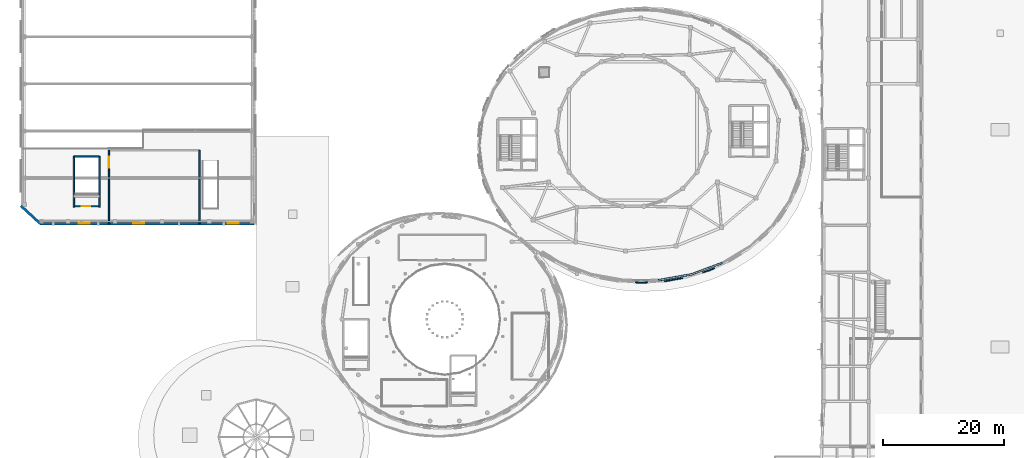
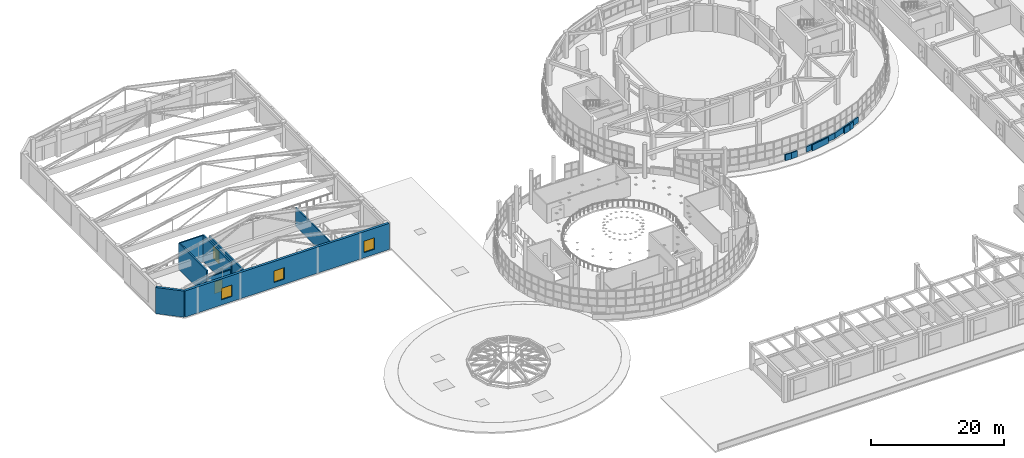
# One storey, part 90 of 105: 15 walls, 3 windows, 2 doors, 5 openings.
"""IFC4 building model written with IfcOpenShell, lengths in metres."""

import ifcopenshell
import ifcopenshell.guid

model = None  # the IFC model being written
_history = None  # IfcOwnerHistory: only IFC2X3 demands one
_inside = {}  # id of a spatial element -> (the spatial element, [elements in it])
_under = {}  # id of a project, library or spatial element -> (it, [spatial elements below it])
_declared = {}  # id of a project -> (the project, [libraries it declares])
_typed = {}  # id of a type object -> (the type object, [elements of that type])
_made_of = {}  # id of a material, layer set ... -> (it, [elements and type objects made of it])


def new_model(schema):
    """Start an empty IFC model of exactly this schema.

    Asked for "IFC4X3", IfcOpenShell would pick the latest addendum, in which some entities
    have other attributes; the version numbers below select the first issue.
    IFC2X3 requires an IfcOwnerHistory on every rooted entity: one is made here for all.
    """
    global model, _history
    if schema == "IFC4X3":
        model = ifcopenshell.file(schema_version=(4, 3, 0, 0))
    else:
        model = ifcopenshell.file(schema=schema)
    _inside.clear()
    _under.clear()
    _declared.clear()
    _typed.clear()
    _made_of.clear()
    _history = None
    if model.schema == "IFC2X3":
        org = make("IfcOrganization", Name="unknown")
        user = make(
            "IfcPersonAndOrganization",
            ThePerson=make("IfcPerson", FamilyName="unknown"),
            TheOrganization=org,
        )
        app = make(
            "IfcApplication",
            ApplicationDeveloper=org,
            Version="unknown",
            ApplicationFullName="unknown",
            ApplicationIdentifier="unknown",
        )
        _history = make(
            "IfcOwnerHistory",
            OwningUser=user,
            OwningApplication=app,
            ChangeAction="ADDED",
            CreationDate=0,
        )
    return model


def make(cls, **values):
    """One entity of the class cls with the attributes given. An attribute that is None is left unset."""
    return model.create_entity(
        cls, **{name: value for name, value in values.items() if value is not None}
    )


def rooted(cls, **values):
    """An entity with a GlobalId (a new one), such as an element, a storey or a relation."""
    return make(cls, GlobalId=ifcopenshell.guid.new(), OwnerHistory=_history, **values)


def si_unit(unit_type, name, prefix=None):
    """IfcSIUnit, for example si_unit("LENGTHUNIT", "METRE", prefix="MILLI")."""
    return make("IfcSIUnit", UnitType=unit_type, Prefix=prefix, Name=name)


def assignment(units):
    """IfcUnitAssignment: the units of a project."""
    return None if units is None else make("IfcUnitAssignment", Units=units)


def point(xyz):
    """IfcCartesianPoint."""
    return None if xyz is None else make("IfcCartesianPoint", Coordinates=xyz)


def direction(xyz):
    """IfcDirection."""
    return None if xyz is None else make("IfcDirection", DirectionRatios=xyz)


def frame(location, z_axis=None, x_axis=None):
    """IfcAxis2Placement3D, a coordinate frame: its origin and axes. An axis left out is left unset."""
    return make(
        "IfcAxis2Placement3D",
        Location=point(location),
        Axis=direction(z_axis),
        RefDirection=direction(x_axis),
    )


def frame_2d(location, x_axis=None):
    """IfcAxis2Placement2D, a coordinate frame in the plane: its origin and x axis."""
    return make(
        "IfcAxis2Placement2D", Location=point(location), RefDirection=direction(x_axis)
    )


def origin():
    """The frame at (0, 0, 0) with its axes left unset."""
    return frame((0.0, 0.0, 0.0))


def place(relative_to, where):
    """IfcLocalPlacement: puts the frame where relative to a parent placement (None: the world)."""
    return make(
        "IfcLocalPlacement", PlacementRelTo=relative_to, RelativePlacement=where
    )


def context(
    kind, dimensions, precision=None, world=None, true_north=None, identifier=None
):
    """IfcGeometricRepresentationContext, for example the 3D "Model" context."""
    return make(
        "IfcGeometricRepresentationContext",
        ContextIdentifier=identifier,
        ContextType=kind,
        CoordinateSpaceDimension=dimensions,
        Precision=precision,
        WorldCoordinateSystem=world,
        TrueNorth=true_north,
    )


def subcontext(parent, identifier, kind, view, scale=None):
    """IfcGeometricRepresentationSubContext, for example "Body" below "Model"."""
    return make(
        "IfcGeometricRepresentationSubContext",
        ContextIdentifier=identifier,
        ContextType=kind,
        ParentContext=parent,
        TargetScale=scale,
        TargetView=view,
    )


def project(units=None, contexts=None):
    """IfcProject with its units and contexts."""
    return rooted(
        "IfcProject",
        Name="project",
        RepresentationContexts=contexts,
        UnitsInContext=assignment(units),
    )


def spatial(cls, under=None, at=None, **own):
    """A site, building, storey or space (cls), placed at a placement, below another one or the project."""
    s = rooted(cls, ObjectPlacement=at, **own)
    if under is not None:
        _under.setdefault(under.id(), (under, []))[1].append(s)
    return s


def profile(cls, at=None, kind="AREA", **sizes):
    """A parametric profile (cls). Its sizes go by their IFC names, for example OverallWidth=200.0."""
    return make(cls, ProfileType=kind, Position=at, **sizes)


def rectangle(**sizes):
    """IfcRectangleProfileDef."""
    return profile("IfcRectangleProfileDef", **sizes)


def extrude(swept, where, along, depth):
    """IfcExtrudedAreaSolid: the profile swept, set in the frame where, extruded along a direction by depth."""
    return make(
        "IfcExtrudedAreaSolid",
        SweptArea=swept,
        Position=where,
        ExtrudedDirection=direction(along),
        Depth=depth,
    )


def shape(context_of_items, identifier, shape_type, items):
    """IfcShapeRepresentation: the items that make up one representation, for example the "Body"."""
    return make(
        "IfcShapeRepresentation",
        ContextOfItems=context_of_items,
        RepresentationIdentifier=identifier,
        RepresentationType=shape_type,
        Items=items,
    )


def material(Name=None, Category=None):
    """IfcMaterial."""
    return make("IfcMaterial", Name=Name, Category=Category)


def layer(
    of_material, thickness, ventilated=None, Name=None, Category=None, Priority=None
):
    """IfcMaterialLayer: one layer of a wall or slab, of a material (None: an air gap)."""
    return make(
        "IfcMaterialLayer",
        Material=of_material,
        LayerThickness=thickness,
        IsVentilated=ventilated,
        Name=Name,
        Category=Category,
        Priority=Priority,
    )


def layer_set(layers, Name=None):
    """IfcMaterialLayerSet."""
    return make("IfcMaterialLayerSet", MaterialLayers=layers, LayerSetName=Name)


def made_of(thing, what):
    """Note that an element or type object is made of a material, layer set ...; save() writes the relation."""
    if what is not None:
        _made_of.setdefault(what.id(), (what, []))[1].append(thing)
    return thing


def type_object(cls, material=None, **own):
    """A type object (cls), such as IfcWallType, which elements share."""
    return made_of(rooted(cls, **own), material)


def element(
    cls,
    number,
    at=None,
    inside=None,
    cuts=None,
    type_object=None,
    material=None,
    context=None,
    identifier="Body",
    shape_type=None,
    held_by="IfcProductDefinitionShape",
    body=None,
    shapes=None,
    **own,
):
    """One element of the class cls, such as IfcWall. Its Tag is "e" and its number.

    at: its placement. inside: the storey or other place that contains it. cuts: it is an
    opening in that element (IfcRelVoidsElement). A single representation is given by context,
    identifier, shape_type and body (its items); several are given by shapes. held_by: the class
    of the entity that holds the representations. save() writes the other relations.
    """
    e = rooted(cls, Tag="e%d" % number, ObjectPlacement=at, **own)
    if body is not None:
        shapes = [shape(context, identifier, shape_type, body)]
    if shapes is not None:
        e.Representation = make(held_by, Representations=shapes)
    if inside is not None:
        _inside.setdefault(inside.id(), (inside, []))[1].append(e)
    if cuts is not None:
        rooted(
            "IfcRelVoidsElement", RelatingBuildingElement=cuts, RelatedOpeningElement=e
        )
    if type_object is not None:
        _typed.setdefault(type_object.id(), (type_object, []))[1].append(e)
    return made_of(e, material)


def fill(opening, filler):
    """IfcRelFillsElement: the door or window that sits in an opening."""
    return rooted(
        "IfcRelFillsElement",
        RelatingOpeningElement=opening,
        RelatedBuildingElement=filler,
    )


def aggregate(whole, parts):
    """IfcRelAggregates: a whole, such as a stair, and the parts it consists of."""
    return rooted("IfcRelAggregates", RelatingObject=whole, RelatedObjects=parts)


def save(model, path):
    """Write the relations noted so far, then the file.

    IfcRelAggregates (storeys below a building ...), IfcRelContainedInSpatialStructure (elements
    in a storey), IfcRelDefinesByType, IfcRelAssociatesMaterial and IfcRelDeclares: one each for
    every whole, place, type object, material and project.
    """
    for whole, parts in _under.values():
        aggregate(whole, parts)
    for where, things in _inside.values():
        rooted(
            "IfcRelContainedInSpatialStructure",
            RelatedElements=things,
            RelatingStructure=where,
        )
    for kind, things in _typed.values():
        rooted("IfcRelDefinesByType", RelatedObjects=things, RelatingType=kind)
    for what, things in _made_of.values():
        rooted("IfcRelAssociatesMaterial", RelatedObjects=things, RelatingMaterial=what)
    for by, libraries in _declared.values():
        rooted("IfcRelDeclares", RelatingContext=by, RelatedDefinitions=libraries)
    model.write(path)


model = new_model("IFC4")

# Units and contexts
model_context = context("Model", 3, precision=1e-05, world=origin(), true_north=direction((0.0, 1.0)))
body_context = subcontext(model_context, "Body", "Model", "MODEL_VIEW")
ifc_project = project(units=[si_unit("LENGTHUNIT", "METRE"), si_unit("AREAUNIT", "SQUARE_METRE"), si_unit("VOLUMEUNIT", "CUBIC_METRE"), si_unit("PLANEANGLEUNIT", "RADIAN"), si_unit("MASSUNIT", "GRAM", prefix="KILO")], contexts=[model_context])

# Site, building, storey
site_placement = place(None, origin())
site = spatial("IfcSite", under=ifc_project, at=site_placement, CompositionType="ELEMENT")
building_placement = place(site_placement, origin())
building = spatial("IfcBuilding", under=site, at=building_placement, Name="Pelvatis Terrace Science Centre", CompositionType="ELEMENT")
storey_placement = place(building_placement, frame((0.0, 0.0, 10.199951171875)))
storey = spatial("IfcBuildingStorey", under=building, at=storey_placement, Name="L02", CompositionType="ELEMENT", Elevation=10.199951171875)

# Wall, openings, windows
ifc_material_1 = material(Name="Precast concrete C40/50 double acoustic shell", Category="concrete")
ifc_layer_1 = layer(ifc_material_1, 0.409912109375)
ifc_layer_set_1 = layer_set([ifc_layer_1], Name="Precast concrete C40/50 double acoustic shell")
wall_type_1 = type_object("IfcWallType", Name="WL-EXT-ACOU-410", PredefinedType="SOLIDWALL", material=ifc_layer_set_1)
wall_1_placement = place(storey_placement, frame((46.449951171875, 70.449951171875, 0.0), z_axis=(0.0, 0.0, 1.0), x_axis=(-1.0, 0.0, 0.0)))
wall_1 = element("IfcWall", 1, at=wall_1_placement, inside=storey, type_object=wall_type_1, Name="Theatre classical stone acoustic wall S (L02)", PredefinedType="SOLIDWALL", context=body_context, shape_type="SweptSolid", body=[
    extrude(rectangle(XDim=35.449951171875, YDim=0.409912109375, at=frame_2d((17.72509765625, 0.0))), origin(), (0.0, 0.0, 1.0), 4.800048828125),
])
opening_1_placement = place(wall_1_placement, frame((2.550048828125, 0.0, 0.949951171875)))
opening_1 = element("IfcOpeningElement", 2, at=opening_1_placement, cuts=wall_1, Name="Opening W-007", PredefinedType="OPENING", context=body_context, shape_type="SweptSolid", body=[
    extrude(rectangle(XDim=1.800048828125, YDim=2.10009765625, at=frame_2d((0.89990234375, 1.050048828125))), frame((0.0, 0.21484375, 0.0), z_axis=(0.0, -1.0, 0.0), x_axis=(1.0, 0.0, 0.0)), (0.0, 0.0, 1.0), 0.429931640625),
])
opening_2_placement = place(wall_1_placement, frame((18.199951171875, 0.0, 0.949951171875)))
opening_2 = element("IfcOpeningElement", 3, at=opening_2_placement, cuts=wall_1, Name="Opening W-008", PredefinedType="OPENING", context=body_context, shape_type="SweptSolid", body=[
    extrude(rectangle(XDim=1.800048828125, YDim=2.10009765625, at=frame_2d((0.89990234375, 1.050048828125))), frame((0.0, 0.21484375, 0.0), z_axis=(0.0, -1.0, 0.0), x_axis=(1.0, 0.0, 0.0)), (0.0, 0.0, 1.0), 0.429931640625),
])
opening_3_placement = place(wall_1_placement, frame((27.25, 0.0, 0.949951171875)))
opening_3 = element("IfcOpeningElement", 4, at=opening_3_placement, cuts=wall_1, Name="Opening W-009", PredefinedType="OPENING", context=body_context, shape_type="SweptSolid", body=[
    extrude(rectangle(XDim=1.800048828125, YDim=2.10009765625, at=frame_2d((0.89990234375, 1.050048828125))), frame((0.0, 0.21484375, 0.0), z_axis=(0.0, -1.0, 0.0), x_axis=(1.0, 0.0, 0.0)), (0.0, 0.0, 1.0), 0.429931640625),
])
ifc_material_2 = material(Name="Bronze-anodised aluminium and laminated low-e glass", Category="aluminium")
window_type = type_object("IfcWindowType", Name="WIN-LAB-1800x2100", PartitioningType="SINGLE_PANEL", PredefinedType="WINDOW", material=ifc_material_2)
window_1_placement = place(opening_1_placement, origin())
window_1 = element("IfcWindow", 5, at=window_1_placement, inside=storey, type_object=window_type, Name="Theatre south Art Deco foyer window W-007", OverallHeight=2.10009765625, OverallWidth=1.800048828125, PartitioningType="SINGLE_PANEL", PredefinedType="WINDOW", context=body_context, shape_type="SweptSolid", body=[
    extrude(rectangle(XDim=1.800048828125, YDim=2.10009765625, at=frame_2d((0.89990234375, 1.050048828125))), frame((0.0, 0.030029296875, 0.0), z_axis=(0.0, -1.0, 0.0), x_axis=(1.0, 0.0, 0.0)), (0.0, 0.0, 1.0), 0.06005859375),
])
fill(opening_1, window_1)
window_2_placement = place(opening_2_placement, origin())
window_2 = element("IfcWindow", 6, at=window_2_placement, inside=storey, type_object=window_type, Name="Theatre south Art Deco foyer window W-008", OverallHeight=2.10009765625, OverallWidth=1.800048828125, PartitioningType="SINGLE_PANEL", PredefinedType="WINDOW", context=body_context, shape_type="SweptSolid", body=[
    extrude(rectangle(XDim=1.800048828125, YDim=2.10009765625, at=frame_2d((0.89990234375, 1.050048828125))), frame((0.0, 0.030029296875, 0.0), z_axis=(0.0, -1.0, 0.0), x_axis=(1.0, 0.0, 0.0)), (0.0, 0.0, 1.0), 0.06005859375),
])
fill(opening_2, window_2)
window_3_placement = place(opening_3_placement, origin())
window_3 = element("IfcWindow", 7, at=window_3_placement, inside=storey, type_object=window_type, Name="Theatre south Art Deco foyer window W-009", OverallHeight=2.10009765625, OverallWidth=1.800048828125, PartitioningType="SINGLE_PANEL", PredefinedType="WINDOW", context=body_context, shape_type="SweptSolid", body=[
    extrude(rectangle(XDim=1.800048828125, YDim=2.10009765625, at=frame_2d((0.89990234375, 1.050048828125))), frame((0.0, 0.030029296875, 0.0), z_axis=(0.0, -1.0, 0.0), x_axis=(1.0, 0.0, 0.0)), (0.0, 0.0, 1.0), 0.06005859375),
])
fill(opening_3, window_3)

# Walls
wall_2_placement = place(storey_placement, frame((11.0, 70.449951171875, 0.0), z_axis=(0.0, 0.0, 1.0), x_axis=(-0.735244168043, 0.677802340922, 0.0)))
element("IfcWall", 8, at=wall_2_placement, inside=storey, type_object=wall_type_1, Name="Theatre classical stone acoustic wall SW (L02)", PredefinedType="SOLIDWALL", context=body_context, shape_type="SweptSolid", body=[
    extrude(rectangle(XDim=4.352294921875, YDim=0.409912109375, at=frame_2d((2.17626953125, 0.0))), origin(), (0.0, 0.0, 1.0), 4.800048828125),
])
ifc_material_3 = material(Name="White architectural precast concrete C40/50 spandrel", Category="concrete")
ifc_layer_2 = layer(ifc_material_3, 0.260009765625)
ifc_layer_set_2 = layer_set([ifc_layer_2], Name="White architectural precast concrete C40/50 spandrel")
wall_type_2 = type_object("IfcWallType", Name="WL-EXT-SPND-260", PredefinedType="SOLIDWALL", material=ifc_layer_set_2)
wall_3_placement = place(storey_placement, frame((113.406494140625, 61.072998046875, 0.0), z_axis=(0.0, 0.0, 1.0), x_axis=(0.984571727295, 0.174981467052, 0.0)))
element("IfcWall", 9, at=wall_3_placement, inside=storey, type_object=wall_type_2, Name="V1 white spiral spandrel band 24 (L02)", PredefinedType="SOLIDWALL", context=body_context, shape_type="SweptSolid", body=[
    extrude(rectangle(XDim=5.57666015625, YDim=0.260009765625, at=frame_2d((2.788330078125, 0.0))), origin(), (0.0, 0.0, 1.0), 1.02001953125),
])
wall_4_placement = place(storey_placement, frame((118.897216796875, 62.048828125, 0.0), z_axis=(0.0, 0.0, 1.0), x_axis=(0.937164520654, 0.34888774875, 0.0)))
element("IfcWall", 10, at=wall_4_placement, inside=storey, type_object=wall_type_2, Name="V1 white spiral spandrel band 25 (L02)", PredefinedType="SOLIDWALL", context=body_context, shape_type="SweptSolid", body=[
    extrude(rectangle(XDim=5.471435546875, YDim=0.260009765625, at=frame_2d((2.73583984375, 0.0))), origin(), (0.0, 0.0, 1.0), 1.02001953125),
])
ifc_material_4 = material(Name="Acoustic theatre and planetarium lobby wall", Category="masonry")
ifc_layer_3 = layer(ifc_material_4, 0.235107421875)
ifc_layer_set_3 = layer_set([ifc_layer_3], Name="Acoustic theatre and planetarium lobby wall")
wall_type_3 = type_object("IfcWallType", Name="WL-INT-ACOU-235", PredefinedType="PARTITIONING", material=ifc_layer_set_3)
wall_5_placement = place(storey_placement, frame((37.39990234375, 70.449951171875, 0.0), z_axis=(0.0, 0.0, 1.0), x_axis=(0.0, 1.0, 0.0)))
element("IfcWall", 11, at=wall_5_placement, inside=storey, type_object=wall_type_3, Name="Theatre Upper Balcony Concourse and Projection Suite partition wall E", PredefinedType="PARTITIONING", context=body_context, shape_type="SweptSolid", body=[
    extrude(rectangle(XDim=12.150146484375, YDim=0.235107421875, at=frame_2d((6.0751953125, 0.0))), origin(), (0.0, 0.0, 1.0), 3.449951171875),
])

# Wall, opening, door
wall_6_placement = place(storey_placement, frame((22.39990234375, 82.60009765625, 0.0), z_axis=(0.0, 0.0, 1.0), x_axis=(0.0, -1.0, 0.0)))
wall_6 = element("IfcWall", 12, at=wall_6_placement, inside=storey, type_object=wall_type_3, Name="Theatre Upper Balcony Concourse and Projection Suite partition wall W", PredefinedType="PARTITIONING", context=body_context, shape_type="SweptSolid", body=[
    extrude(rectangle(XDim=12.150146484375, YDim=0.235107421875, at=frame_2d((6.0751953125, 0.0))), origin(), (0.0, 0.0, 1.0), 3.449951171875),
])
opening_4_placement = place(wall_6_placement, frame((1.110107421875, 0.0, 0.0)))
opening_4 = element("IfcOpeningElement", 13, at=opening_4_placement, cuts=wall_6, Name="Opening D-204", PredefinedType="OPENING", context=body_context, shape_type="SweptSolid", body=[
    extrude(rectangle(XDim=1.800048828125, YDim=2.35009765625, at=frame_2d((0.89990234375, 1.175048828125))), frame((0.0, 0.12744140625, 0.0), z_axis=(0.0, -1.0, 0.0), x_axis=(1.0, 0.0, 0.0)), (0.0, 0.0, 1.0), 0.255126953125),
])
ifc_material_5 = material(Name="Acoustic padded theatre sound-lock double door", Category="wood")
door_type_1 = type_object("IfcDoorType", Name="DR-THTR-1800x2350", OperationType="NOTDEFINED", PredefinedType="DOOR", material=ifc_material_5)
door_1_placement = place(opening_4_placement, origin())
door_1 = element("IfcDoor", 14, at=door_1_placement, inside=storey, type_object=door_type_1, Name="Theatre Upper Balcony Concourse and Projection Suite entrance door", OperationType="DOUBLE_DOOR_SINGLE_SWING", OverallHeight=2.35009765625, OverallWidth=1.800048828125, PredefinedType="DOOR", context=body_context, shape_type="SweptSolid", body=[
    extrude(rectangle(XDim=1.800048828125, YDim=2.35009765625, at=frame_2d((0.89990234375, 1.175048828125))), frame((0.0, 0.02490234375, 0.0), z_axis=(0.0, -1.0, 0.0), x_axis=(1.0, 0.0, 0.0)), (0.0, 0.0, 1.0), 0.050048828125),
])
fill(opening_4, door_1)

ifc_material_6 = material(Name="Concrete C35/45 stair enclosure wall", Category="concrete")
ifc_layer_4 = layer(ifc_material_6, 0.22509765625)
ifc_layer_set_4 = layer_set([ifc_layer_4], Name="Concrete C35/45 stair enclosure wall")
wall_type_4 = type_object("IfcWallType", Name="WL-INT-CORE-225", PredefinedType="PARTITIONING", material=ifc_layer_set_4)
wall_7_placement = place(storey_placement, frame((16.739990234375, 73.320068359375, 0.0), z_axis=(0.0, 0.0, 1.0), x_axis=(1.0, 0.0, 0.0)))
wall_7 = element("IfcWall", 15, at=wall_7_placement, inside=storey, type_object=wall_type_4, Name="Stair ST-07 shaft wall S (L02)", PredefinedType="PARTITIONING", context=body_context, shape_type="SweptSolid", body=[
    extrude(rectangle(XDim=3.919921875, YDim=0.22509765625, at=frame_2d((1.9599609375, 0.0))), origin(), (0.0, 0.0, 1.0), 3.510009765625),
])
opening_5_placement = place(wall_7_placement, frame((1.173095703125, 0.0, 0.0)))
opening_5 = element("IfcOpeningElement", 16, at=opening_5_placement, cuts=wall_7, Name="Opening D-159", PredefinedType="OPENING", context=body_context, shape_type="SweptSolid", body=[
    extrude(rectangle(XDim=1.35009765625, YDim=2.199951171875, at=frame_2d((0.675048828125, 1.10009765625))), frame((0.0, 0.12255859375, 0.0), z_axis=(0.0, -1.0, 0.0), x_axis=(1.0, 0.0, 0.0)), (0.0, 0.0, 1.0), 0.2451171875),
])
ifc_material_7 = material(Name="Steel fire-rated protected stair door", Category="steel")
door_type_2 = type_object("IfcDoorType", Name="DR-STAIR-1350x2200", OperationType="NOTDEFINED", PredefinedType="DOOR", material=ifc_material_7)
door_2_placement = place(opening_5_placement, origin())
door_2 = element("IfcDoor", 17, at=door_2_placement, inside=storey, type_object=door_type_2, Name="Stair ST-07 fire door (L02)", OperationType="SINGLE_SWING_LEFT", OverallHeight=2.199951171875, OverallWidth=1.35009765625, PredefinedType="DOOR", context=body_context, shape_type="SweptSolid", body=[
    extrude(rectangle(XDim=1.35009765625, YDim=2.199951171875, at=frame_2d((0.675048828125, 1.10009765625))), frame((0.0, 0.02490234375, 0.0), z_axis=(0.0, -1.0, 0.0), x_axis=(1.0, 0.0, 0.0)), (0.0, 0.0, 1.0), 0.050048828125),
])
fill(opening_5, door_2)

# Walls
ifc_material_8 = material(Name="White architectural precast concrete C40/50 spandrel parapet", Category="concrete")
ifc_layer_5 = layer(ifc_material_8, 0.18994140625)
ifc_layer_set_5 = layer_set([ifc_layer_5], Name="White architectural precast concrete C40/50 spandrel parapet")
wall_type_5 = type_object("IfcWallType", Name="WL-PAR-190", PredefinedType="PARAPET", material=ifc_layer_set_5)
wall_8_placement = place(storey_placement, frame((122.677978515625, 63.082763671875, 0.0), z_axis=(0.0, 0.0, 1.0), x_axis=(-0.909318572974, -0.416100628268, 0.0)))
element("IfcWall", 18, at=wall_8_placement, inside=storey, type_object=wall_type_5, Name="Perimeter edge closure parapet PW-EDG-L02-281", PredefinedType="PARAPET", context=body_context, shape_type="SweptSolid", body=[
    extrude(rectangle(XDim=0.880126953125, YDim=0.18994140625, at=frame_2d((0.43994140625, 0.0))), origin(), (0.0, 0.0, 1.0), 1.1201171875),
])
wall_9_placement = place(storey_placement, frame((121.877685546875, 62.716552734375, 0.0), z_axis=(0.0, 0.0, 1.0), x_axis=(-0.95441125659, -0.298494812844, 0.0)))
element("IfcWall", 19, at=wall_9_placement, inside=storey, type_object=wall_type_5, Name="Perimeter edge closure parapet PW-EDG-L02-282", PredefinedType="PARAPET", context=body_context, shape_type="SweptSolid", body=[
    extrude(rectangle(XDim=1.201416015625, YDim=0.18994140625, at=frame_2d((0.6005859375, 0.0))), origin(), (0.0, 0.0, 1.0), 1.1201171875),
])
wall_10_placement = place(storey_placement, frame((117.4091796875, 61.428955078125, 0.0), z_axis=(0.0, 0.0, 1.0), x_axis=(-0.984562207062, -0.175035026283, 0.0)))
element("IfcWall", 20, at=wall_10_placement, inside=storey, type_object=wall_type_5, Name="Perimeter edge closure parapet PW-EDG-L02-283", PredefinedType="PARAPET", context=body_context, shape_type="SweptSolid", body=[
    extrude(rectangle(XDim=3.109130859375, YDim=0.18994140625, at=frame_2d((1.5546875, 0.0))), origin(), (0.0, 0.0, 1.0), 1.1201171875),
])
wall_11_placement = place(storey_placement, frame((111.64892578125, 60.722900390625, 0.0), z_axis=(0.0, 0.0, 1.0), x_axis=(-0.998215387532, -0.059716330213, 0.0)))
element("IfcWall", 21, at=wall_11_placement, inside=storey, type_object=wall_type_5, Name="Perimeter edge closure parapet PW-EDG-L02-284", PredefinedType="PARAPET", context=body_context, shape_type="SweptSolid", body=[
    extrude(rectangle(XDim=1.05078125, YDim=0.18994140625, at=frame_2d((0.525390625, 0.0))), origin(), (0.0, 0.0, 1.0), 1.1201171875),
])
wall_12_placement = place(storey_placement, frame((110.60009765625, 60.66015625, 0.0), z_axis=(0.0, 0.0, 1.0), x_axis=(-0.998216215846, 0.05970248254, 0.0)))
element("IfcWall", 22, at=wall_12_placement, inside=storey, type_object=wall_type_5, Name="Perimeter edge closure parapet PW-EDG-L02-285", PredefinedType="PARAPET", context=body_context, shape_type="SweptSolid", body=[
    extrude(rectangle(XDim=1.051025390625, YDim=0.18994140625, at=frame_2d((0.525390625, 0.0))), origin(), (0.0, 0.0, 1.0), 1.1201171875),
])
ifc_material_9 = material(Name="Concrete C40/50", Category="concrete")
ifc_layer_6 = layer(ifc_material_9, 0.25)
ifc_layer_set_6 = layer_set([ifc_layer_6], Name="Concrete C40/50")
wall_type_6 = type_object("IfcWallType", Name="WL-SHR-250", PredefinedType="SHEAR", material=ifc_layer_set_6)
wall_13_placement = place(storey_placement, frame((16.60009765625, 81.60009765625, 0.0), z_axis=(0.0, 0.0, 1.0), x_axis=(1.0, 0.0, 0.0)))
element("IfcWall", 23, at=wall_13_placement, inside=storey, type_object=wall_type_6, Name="Stair ST-07 structural wall N (L02)", PredefinedType="SHEAR", context=body_context, shape_type="SweptSolid", body=[
    extrude(rectangle(XDim=4.199951171875, YDim=0.25, at=frame_2d((2.10009765625, 0.0))), origin(), (0.0, 0.0, 1.0), 4.800048828125),
])
for number, where, z_axis, x_axis, name in (
    (24, (16.60009765625, 73.199951171875, 0.0), (0.0, 0.0, 1.0), (0.0, 1.0, 0.0), "Stair ST-07 structural wall W (L02)"),
    (25, (20.800048828125, 73.199951171875, 0.0), (0.0, 0.0, 1.0), (0.0, 1.0, 0.0), "Stair ST-07 structural wall E (L02)"),
):
    element("IfcWall", number, at=place(storey_placement, frame(where, z_axis=z_axis, x_axis=x_axis)), inside=storey, type_object=wall_type_6, Name=name, PredefinedType="SHEAR", context=body_context, shape_type="SweptSolid", body=[
        extrude(rectangle(XDim=8.400146484375, YDim=0.25, at=frame_2d((4.2001953125, 0.0))), origin(), (0.0, 0.0, 1.0), 4.800048828125),
    ])

save(model, "model.ifc")
